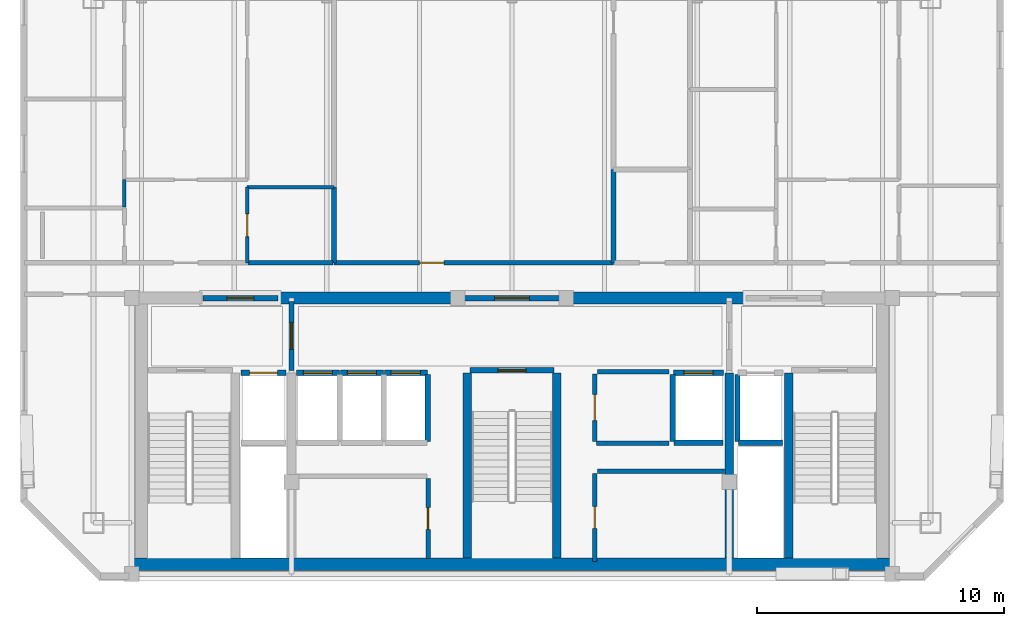
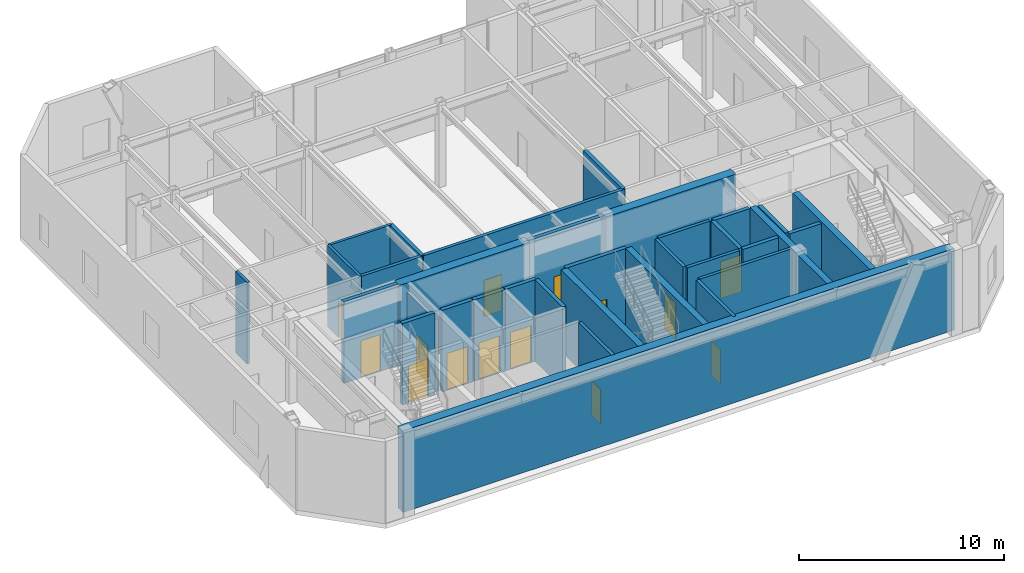
# One storey, part 7 of 11: 34 walls, 14 doors, 14 openings.
"""IFC4 building model written with IfcOpenShell, lengths in metres."""

from ifc_helpers import new_model, si_unit, direction, frame, frame_2d, origin, place, context, subcontext, project, spatial, rectangle, extrude, material, layer, layer_set, type_object, element, fill, save


model = new_model("IFC4")

# Units and contexts
model_context = context("Model", 3, precision=1e-05, world=origin(), true_north=direction((0.0, 1.0)))
body_context = subcontext(model_context, "Body", "Model", "MODEL_VIEW")
ifc_project = project(units=[si_unit("LENGTHUNIT", "METRE"), si_unit("AREAUNIT", "SQUARE_METRE"), si_unit("VOLUMEUNIT", "CUBIC_METRE"), si_unit("PLANEANGLEUNIT", "RADIAN"), si_unit("MASSUNIT", "GRAM", prefix="KILO")], contexts=[model_context])

# Site, building, storey
site_placement = place(None, origin())
site = spatial("IfcSite", under=ifc_project, at=site_placement, CompositionType="ELEMENT")
building_placement = place(site_placement, origin())
building = spatial("IfcBuilding", under=site, at=building_placement, Name="Ventersveld Concourse Tower", CompositionType="ELEMENT")
storey_placement = place(building_placement, frame((0.0, 0.0, 308.0)))
storey = spatial("IfcBuildingStorey", under=building, at=storey_placement, Name="L76", CompositionType="ELEMENT", Elevation=308.0)

# Walls
ifc_material_1 = material(Name="Concrete C50/60", Category="concrete")
ifc_layer_1 = layer(ifc_material_1, 0.35009765625)
ifc_layer_set_1 = layer_set([ifc_layer_1], Name="Concrete C50/60")
wall_type_1 = type_object("IfcWallType", Name="WL-CORE-350U", PredefinedType="SHEAR", material=ifc_layer_set_1)
for number, where, z_axis, x_axis, name in (
    (1, (26.93994140625, 0.919921875, 0.0), (0.0, 0.0, 1.0), (0.0, 1.0, 0.0), "L76 Core Internal Shear Web W-ST3-W"),
    (2, (30.56005859375, 0.919921875, 0.0), (0.0, 0.0, 1.0), (0.0, 1.0, 0.0), "L76 Core Internal Shear Web W-ST3-E"),
    (3, (37.550048828125, 0.919921875, 0.0), (0.0, 0.0, 1.0), (0.0, 1.0, 0.0), "L76 Core Internal Shear Web W-SVL-W"),
    (4, (39.9599609375, 0.919921875, 0.0), (0.0, 0.0, 1.0), (0.0, 1.0, 0.0), "L76 Core Internal Shear Web W-ST2-W"),
):
    element("IfcWall", number, at=place(storey_placement, frame(where, z_axis=z_axis, x_axis=x_axis)), inside=storey, type_object=wall_type_1, Name=name, PredefinedType="SHEAR", context=body_context, shape_type="SweptSolid", body=[
        extrude(rectangle(XDim=7.5, YDim=0.35009765625, at=frame_2d((3.75, 0.0))), origin(), (0.0, 0.0, 1.0), 4.85009765625),
    ])
ifc_layer_2 = layer(ifc_material_1, 0.5)
ifc_layer_set_2 = layer_set([ifc_layer_2], Name="Concrete C50/60")
wall_type_2 = type_object("IfcWallType", Name="WL-CORE-500", PredefinedType="SHEAR", material=ifc_layer_set_2)
wall_1_placement = place(storey_placement, frame((13.25, 0.669921875, 0.0), z_axis=(0.0, 0.0, 1.0), x_axis=(1.0, 0.0, 0.0)))
element("IfcWall", 5, at=wall_1_placement, inside=storey, type_object=wall_type_2, Name="L76 Rear Core South Shear Wall", PredefinedType="SHEAR", context=body_context, shape_type="SweptSolid", body=[
    extrude(rectangle(XDim=31.0, YDim=0.5, at=frame_2d((15.5, 0.0))), origin(), (0.0, 0.0, 1.0), 4.85009765625),
])
for number, where, z_axis, x_axis, name in (
    (6, (19.300048828125, 11.449951171875, 0.0), (0.0, 0.0, 1.0), (1.0, 0.0, 0.0), "L76 Rear Core North Shear Wall NML"),
    (7, (30.89990234375, 11.449951171875, 0.0), (0.0, 0.0, 1.0), (1.0, 0.0, 0.0), "L76 Rear Core North Shear Wall NMR"),
):
    element("IfcWall", number, at=place(storey_placement, frame(where, z_axis=z_axis, x_axis=x_axis)), inside=storey, type_object=wall_type_2, Name=name, PredefinedType="SHEAR", context=body_context, shape_type="SweptSolid", body=[
        extrude(rectangle(XDim=7.300048828125, YDim=0.5, at=frame_2d((3.64990234375, 0.0))), origin(), (0.0, 0.0, 1.0), 4.85009765625),
    ])

# Wall, opening, door
ifc_material_2 = material(Name="Fire-rated autoclaved aerated masonry blockwork", Category="masonry")
ifc_layer_3 = layer(ifc_material_2, 0.179931640625)
ifc_layer_set_3 = layer_set([ifc_layer_3], Name="Fire-rated autoclaved aerated masonry blockwork")
wall_type_3 = type_object("IfcWallType", Name="WL-CORR-180", PredefinedType="PARTITIONING", material=ifc_layer_set_3)
wall_2_placement = place(storey_placement, frame((25.35009765625, 0.89990234375, 0.0), z_axis=(0.0, 0.0, 1.0), x_axis=(0.0, 1.0, 0.0)))
wall_2 = element("IfcWall", 8, at=wall_2_placement, inside=storey, type_object=wall_type_3, Name="L76 Core Passage Wall SP-L76-RECB1A", PredefinedType="PARTITIONING", context=body_context, shape_type="SweptSolid", body=[
    extrude(rectangle(XDim=3.239990234375, YDim=0.179931640625, at=frame_2d((1.6201171875, 0.0))), origin(), (0.0, 0.0, 1.0), 4.85009765625),
])
opening_1_placement = place(wall_2_placement, frame((1.179931640625, 0.0, 0.0)))
opening_1 = element("IfcOpeningElement", 9, at=opening_1_placement, cuts=wall_2, Name="Opening FD5", PredefinedType="OPENING", context=body_context, shape_type="SweptSolid", body=[
    extrude(rectangle(XDim=0.8798828125, YDim=2.050048828125, at=frame_2d((0.43994140625, 1.02490234375))), frame((0.0, 0.10009765625, 0.0), z_axis=(0.0, -1.0, 0.0), x_axis=(1.0, 0.0, 0.0)), (0.0, 0.0, 1.0), 0.199951171875),
])
ifc_material_3 = material(Name="Galvanised painted steel", Category="steel")
door_type_1 = type_object("IfcDoorType", Name="DR-RISER-088", OperationType="NOTDEFINED", PredefinedType="DOOR", material=ifc_material_3)
door_1_placement = place(opening_1_placement, origin())
door_1 = element("IfcDoor", 10, at=door_1_placement, inside=storey, type_object=door_type_1, Name="L76 Core Room Door L76 Reclaimed Core Quiet Study Pod (CD-L76-3487)", OperationType="SINGLE_SWING_RIGHT", OverallHeight=2.050048828125, OverallWidth=0.8798828125, PredefinedType="DOOR", context=body_context, shape_type="SweptSolid", body=[
    extrude(rectangle(XDim=0.8798828125, YDim=2.050048828125, at=frame_2d((0.43994140625, 1.02490234375))), frame((0.0, 0.02490234375, 0.0), z_axis=(0.0, -1.0, 0.0), x_axis=(1.0, 0.0, 0.0)), (0.0, 0.0, 1.0), 0.050048828125),
])
fill(opening_1, door_1)

wall_3_placement = place(storey_placement, frame((32.10009765625, 0.780029296875, 0.0), z_axis=(0.0, 0.0, 1.0), x_axis=(0.0, 1.0, 0.0)))
wall_3 = element("IfcWall", 11, at=wall_3_placement, inside=storey, type_object=wall_type_3, Name="L76 Core Passage Wall SP-L76-RECB2A", PredefinedType="PARTITIONING", context=body_context, shape_type="SweptSolid", body=[
    extrude(rectangle(XDim=3.570068359375, YDim=0.179931640625, at=frame_2d((1.78515625, 0.0))), origin(), (0.0, 0.0, 1.0), 4.85009765625),
])
opening_2_placement = place(wall_3_placement, frame((1.344970703125, 0.0, 0.0)))
opening_2 = element("IfcOpeningElement", 12, at=opening_2_placement, cuts=wall_3, Name="Opening FD5", PredefinedType="OPENING", context=body_context, shape_type="SweptSolid", body=[
    extrude(rectangle(XDim=0.8798828125, YDim=2.050048828125, at=frame_2d((0.43994140625, 1.02490234375))), frame((0.0, 0.10009765625, 0.0), z_axis=(0.0, -1.0, 0.0), x_axis=(1.0, 0.0, 0.0)), (0.0, 0.0, 1.0), 0.199951171875),
])
door_2_placement = place(opening_2_placement, origin())
door_2 = element("IfcDoor", 13, at=door_2_placement, inside=storey, type_object=door_type_1, Name="L76 Core Room Door L76 Reclaimed Core Co-Working Study (CD-L76-3488)", OperationType="SINGLE_SWING_LEFT", OverallHeight=2.050048828125, OverallWidth=0.8798828125, PredefinedType="DOOR", context=body_context, shape_type="SweptSolid", body=[
    extrude(rectangle(XDim=0.8798828125, YDim=2.050048828125, at=frame_2d((0.43994140625, 1.02490234375))), frame((0.0, 0.02490234375, 0.0), z_axis=(0.0, -1.0, 0.0), x_axis=(1.0, 0.0, 0.0)), (0.0, 0.0, 1.0), 0.050048828125),
])
fill(opening_2, door_2)

# Wall
wall_4_placement = place(storey_placement, frame((32.219970703125, 4.429931640625, 0.0), z_axis=(0.0, 0.0, 1.0), x_axis=(1.0, 0.0, 0.0)))
element("IfcWall", 14, at=wall_4_placement, inside=storey, type_object=wall_type_3, Name="L76 Core Top Wall SP-L76-RECB2A", PredefinedType="PARTITIONING", context=body_context, shape_type="SweptSolid", body=[
    extrude(rectangle(XDim=5.179931640625, YDim=0.179931640625, at=frame_2d((2.58984375, 0.0))), origin(), (0.0, 0.0, 1.0), 4.85009765625),
])

# Wall, opening, door
wall_5_placement = place(storey_placement, frame((32.10009765625, 5.64990234375, 0.0), z_axis=(0.0, 0.0, 1.0), x_axis=(0.0, 1.0, 0.0)))
wall_5 = element("IfcWall", 15, at=wall_5_placement, inside=storey, type_object=wall_type_3, Name="L76 Core Passage Wall SP-L76-CBAY1", PredefinedType="PARTITIONING", context=body_context, shape_type="SweptSolid", body=[
    extrude(rectangle(XDim=2.72998046875, YDim=0.179931640625, at=frame_2d((1.364990234375, 0.0))), origin(), (0.0, 0.0, 1.0), 4.85009765625),
])
opening_3_placement = place(wall_5_placement, frame((0.840087890625, 0.0, 0.0)))
opening_3 = element("IfcOpeningElement", 16, at=opening_3_placement, cuts=wall_5, Name="Opening ID3", PredefinedType="OPENING", context=body_context, shape_type="SweptSolid", body=[
    extrude(rectangle(XDim=1.050048828125, YDim=2.14990234375, at=frame_2d((0.52490234375, 1.074951171875))), frame((0.0, 0.10009765625, 0.0), z_axis=(0.0, -1.0, 0.0), x_axis=(1.0, 0.0, 0.0)), (0.0, 0.0, 1.0), 0.199951171875),
])
ifc_material_4 = material(Name="Solid-core hardwood veneer timber", Category="wood")
door_type_2 = type_object("IfcDoorType", Name="DR-AWC-105", OperationType="NOTDEFINED", PredefinedType="DOOR", material=ifc_material_4)
door_3_placement = place(opening_3_placement, origin())
door_3 = element("IfcDoor", 17, at=door_3_placement, inside=storey, type_object=door_type_2, Name="L76 Core Room Door L76 Core Unisex Accessible WC (CD-L76-3489)", OperationType="SINGLE_SWING_RIGHT", OverallHeight=2.14990234375, OverallWidth=1.050048828125, PredefinedType="DOOR", context=body_context, shape_type="SweptSolid", body=[
    extrude(rectangle(XDim=1.050048828125, YDim=2.14990234375, at=frame_2d((0.52490234375, 1.074951171875))), frame((0.0, 0.02490234375, 0.0), z_axis=(0.0, -1.0, 0.0), x_axis=(1.0, 0.0, 0.0)), (0.0, 0.0, 1.0), 0.050048828125),
])
fill(opening_3, door_3)

# Walls
wall_6_placement = place(storey_placement, frame((32.219970703125, 8.4599609375, 0.0), z_axis=(0.0, 0.0, 1.0), x_axis=(1.0, 0.0, 0.0)))
element("IfcWall", 18, at=wall_6_placement, inside=storey, type_object=wall_type_3, Name="L76 Core Top Wall SP-L76-CBAY1", PredefinedType="PARTITIONING", context=body_context, shape_type="SweptSolid", body=[
    extrude(rectangle(XDim=2.880126953125, YDim=0.179931640625, at=frame_2d((1.43994140625, 0.0))), origin(), (0.0, 0.0, 1.0), 4.85009765625),
])
wall_7_placement = place(storey_placement, frame((32.179931640625, 5.570068359375, 0.0), z_axis=(0.0, 0.0, 1.0), x_axis=(1.0, 0.0, 0.0)))
element("IfcWall", 19, at=wall_7_placement, inside=storey, type_object=wall_type_3, Name="L76 Core Bot Wall SP-L76-CBAY1", PredefinedType="PARTITIONING", context=body_context, shape_type="SweptSolid", body=[
    extrude(rectangle(XDim=2.920166015625, YDim=0.179931640625, at=frame_2d((1.4599609375, 0.0))), origin(), (0.0, 0.0, 1.0), 4.85009765625),
])

# Wall, opening, door
wall_8_placement = place(storey_placement, frame((21.534912109375, 12.8798828125, 0.0), z_axis=(0.0, 0.0, 1.0), x_axis=(1.0, 0.0, 0.0)))
wall_8 = element("IfcWall", 20, at=wall_8_placement, inside=storey, type_object=wall_type_3, Name="L76 Interior Partition SP-L76-COR-SP-L76-SGLNG", PredefinedType="PARTITIONING", context=body_context, shape_type="SweptSolid", body=[
    extrude(rectangle(XDim=11.330078125, YDim=0.179931640625, at=frame_2d((5.6650390625, 0.0))), origin(), (0.0, 0.0, 1.0), 4.85009765625),
])
opening_4_placement = place(wall_8_placement, frame((3.465576171875, 0.0, 0.0)))
opening_4 = element("IfcOpeningElement", 21, at=opening_4_placement, cuts=wall_8, Name="Opening FD3", PredefinedType="OPENING", context=body_context, shape_type="SweptSolid", body=[
    extrude(rectangle(XDim=1.0, YDim=2.14990234375, at=frame_2d((0.5, 1.074951171875))), frame((0.0, 0.10009765625, 0.0), z_axis=(0.0, -1.0, 0.0), x_axis=(1.0, 0.0, 0.0)), (0.0, 0.0, 1.0), 0.199951171875),
])
door_type_3 = type_object("IfcDoorType", Name="DR-FLAT-100", OperationType="NOTDEFINED", PredefinedType="DOOR", material=ifc_material_4)
door_4_placement = place(opening_4_placement, origin())
door_4 = element("IfcDoor", 22, at=door_4_placement, inside=storey, type_object=door_type_3, Name="L76 Interior Door SP-L76-COR to SP-L76-SGLNG (D-L76-3492)", OperationType="SINGLE_SWING_RIGHT", OverallHeight=2.14990234375, OverallWidth=1.0, PredefinedType="DOOR", context=body_context, shape_type="SweptSolid", body=[
    extrude(rectangle(XDim=1.0, YDim=2.14990234375, at=frame_2d((0.5, 1.074951171875))), frame((0.0, 0.02490234375, 0.0), z_axis=(0.0, -1.0, 0.0), x_axis=(1.0, 0.0, 0.0)), (0.0, 0.0, 1.0), 0.050048828125),
])
fill(opening_4, door_4)

# Walls
wall_9_placement = place(storey_placement, frame((18.066650390625, 12.8798828125, 0.0), z_axis=(0.0, 0.0, 1.0), x_axis=(1.0, 0.0, 0.0)))
element("IfcWall", 23, at=wall_9_placement, inside=storey, type_object=wall_type_3, Name="L76 Interior Partition SP-L76-COR-SP-L76-76CW-KIT", PredefinedType="PARTITIONING", context=body_context, shape_type="SweptSolid", body=[
    extrude(rectangle(XDim=3.438232421875, YDim=0.179931640625, at=frame_2d((1.71923828125, 0.0))), origin(), (0.0, 0.0, 1.0), 4.85009765625),
])
ifc_layer_4 = layer(ifc_material_2, 0.199951171875)
ifc_layer_set_4 = layer_set([ifc_layer_4], Name="Fire-rated autoclaved aerated masonry blockwork")
wall_type_4 = type_object("IfcWallType", Name="WL-DEMISE-200", PredefinedType="PARTITIONING", material=ifc_layer_set_4)
wall_10_placement = place(storey_placement, frame((32.860107421875, 12.864990234375, 0.0), z_axis=(0.0, 0.0, 1.0), x_axis=(0.0, 1.0, 0.0)))
element("IfcWall", 24, at=wall_10_placement, inside=storey, type_object=wall_type_4, Name="L76 Interior Partition SP-L76-SGLNG-SP-L76-SGAWC", PredefinedType="PARTITIONING", context=body_context, shape_type="SweptSolid", body=[
    extrude(rectangle(XDim=3.7900390625, YDim=0.199951171875, at=frame_2d((1.89501953125, 0.0))), origin(), (0.0, 0.0, 1.0), 4.85009765625),
])
wall_11_placement = place(storey_placement, frame((21.5400390625, 12.864990234375, 0.0), z_axis=(0.0, 0.0, 1.0), x_axis=(0.0, 1.0, 0.0)))
element("IfcWall", 25, at=wall_11_placement, inside=storey, type_object=wall_type_4, Name="L76 Interior Partition SP-L76-SGLNG-SP-L76-76CW-KIT", PredefinedType="PARTITIONING", context=body_context, shape_type="SweptSolid", body=[
    extrude(rectangle(XDim=3.07421875, YDim=0.199951171875, at=frame_2d((1.537109375, 0.0))), origin(), (0.0, 0.0, 1.0), 4.85009765625),
])

# Wall, opening, door
ifc_layer_5 = layer(ifc_material_2, 0.219970703125)
ifc_layer_set_5 = layer_set([ifc_layer_5], Name="Fire-rated autoclaved aerated masonry blockwork")
wall_type_5 = type_object("IfcWallType", Name="WL-HOIST-220", PredefinedType="SOLIDWALL", material=ifc_layer_set_5)
wall_12_placement = place(storey_placement, frame((17.780029296875, 8.429931640625, 0.0), z_axis=(0.0, 0.0, 1.0), x_axis=(1.0, 0.0, 0.0)))
wall_12 = element("IfcWall", 26, at=wall_12_placement, inside=storey, type_object=wall_type_5, Name="L76 Lift Hoistway Front Wall FFL-01", PredefinedType="SOLIDWALL", context=body_context, shape_type="SweptSolid", body=[
    extrude(rectangle(XDim=1.820068359375, YDim=0.219970703125, at=frame_2d((0.91015625, 0.0))), origin(), (0.0, 0.0, 1.0), 4.85009765625),
])
opening_5_placement = place(wall_12_placement, frame((0.35009765625, 0.0, 0.0)))
opening_5 = element("IfcOpeningElement", 27, at=opening_5_placement, cuts=wall_12, Name="Opening LD1", PredefinedType="OPENING", context=body_context, shape_type="SweptSolid", body=[
    extrude(rectangle(XDim=1.1201171875, YDim=2.25, at=frame_2d((0.56005859375, 1.125))), frame((0.0, 0.1201171875, 0.0), z_axis=(0.0, -1.0, 0.0), x_axis=(1.0, 0.0, 0.0)), (0.0, 0.0, 1.0), 0.239990234375),
])
ifc_material_5 = material(Name="Brushed stainless steel 316", Category="steel")
door_type_4 = type_object("IfcDoorType", Name="LD-FF-112", OperationType="SLIDING_TO_LEFT", PredefinedType="DOOR", material=ifc_material_5)
door_5_placement = place(opening_5_placement, origin())
door_5 = element("IfcDoor", 28, at=door_5_placement, inside=storey, type_object=door_type_4, Name="L76 Lift landing door FFL-01 (LD-L76-FFL-01)", OperationType="SLIDING_TO_RIGHT", OverallHeight=2.25, OverallWidth=1.1201171875, PredefinedType="DOOR", context=body_context, shape_type="SweptSolid", body=[
    extrude(rectangle(XDim=1.1201171875, YDim=2.25, at=frame_2d((0.56005859375, 1.125))), frame((0.0, 0.02490234375, 0.0), z_axis=(0.0, -1.0, 0.0), x_axis=(1.0, 0.0, 0.0)), (0.0, 0.0, 1.0), 0.050048828125),
])
fill(opening_5, door_5)

# Walls
wall_13_placement = place(storey_placement, frame((37.919921875, 5.590087890625, 0.0), z_axis=(0.0, 0.0, 1.0), x_axis=(1.0, 0.0, 0.0)))
element("IfcWall", 29, at=wall_13_placement, inside=storey, type_object=wall_type_5, Name="L76 Lift Hoistway Back Wall FFL-02", PredefinedType="SOLIDWALL", context=body_context, shape_type="SweptSolid", body=[
    extrude(rectangle(XDim=1.780029296875, YDim=0.219970703125, at=frame_2d((0.89013671875, 0.0))), origin(), (0.0, 0.0, 1.0), 4.85009765625),
])
wall_14_placement = place(storey_placement, frame((37.8798828125, 5.64990234375, 0.0), z_axis=(0.0, 0.0, 1.0), x_axis=(0.0, 1.0, 0.0)))
element("IfcWall", 30, at=wall_14_placement, inside=storey, type_object=wall_type_5, Name="L76 Lift Hoistway Side Wall FFL-02W", PredefinedType="SOLIDWALL", context=body_context, shape_type="SweptSolid", body=[
    extrude(rectangle(XDim=2.7001953125, YDim=0.219970703125, at=frame_2d((1.35009765625, 0.0))), origin(), (0.0, 0.0, 1.0), 4.85009765625),
])
wall_15_placement = place(storey_placement, frame((35.300048828125, 5.590087890625, 0.0), z_axis=(0.0, 0.0, 1.0), x_axis=(1.0, 0.0, 0.0)))
element("IfcWall", 31, at=wall_15_placement, inside=storey, type_object=wall_type_5, Name="L76 Lift Hoistway Back Wall SVL-01", PredefinedType="SOLIDWALL", context=body_context, shape_type="SweptSolid", body=[
    extrude(rectangle(XDim=2.0, YDim=0.219970703125, at=frame_2d((1.0, 0.0))), origin(), (0.0, 0.0, 1.0), 4.85009765625),
])
wall_16_placement = place(storey_placement, frame((35.260009765625, 5.64990234375, 0.0), z_axis=(0.0, 0.0, 1.0), x_axis=(0.0, 1.0, 0.0)))
element("IfcWall", 32, at=wall_16_placement, inside=storey, type_object=wall_type_5, Name="L76 Lift Hoistway Side Wall SVL-01W", PredefinedType="SOLIDWALL", context=body_context, shape_type="SweptSolid", body=[
    extrude(rectangle(XDim=2.7001953125, YDim=0.219970703125, at=frame_2d((1.35009765625, 0.0))), origin(), (0.0, 0.0, 1.0), 4.85009765625),
])

# Wall, opening, door
wall_17_placement = place(storey_placement, frame((35.280029296875, 8.429931640625, 0.0), z_axis=(0.0, 0.0, 1.0), x_axis=(1.0, 0.0, 0.0)))
wall_17 = element("IfcWall", 33, at=wall_17_placement, inside=storey, type_object=wall_type_5, Name="L76 Lift Hoistway Front Wall SVL-01", PredefinedType="SOLIDWALL", context=body_context, shape_type="SweptSolid", body=[
    extrude(rectangle(XDim=2.0400390625, YDim=0.219970703125, at=frame_2d((1.02001953125, 0.0))), origin(), (0.0, 0.0, 1.0), 4.85009765625),
])
opening_6_placement = place(wall_17_placement, frame((0.429931640625, 0.0, 0.0)))
opening_6 = element("IfcOpeningElement", 34, at=opening_6_placement, cuts=wall_17, Name="Opening LD2", PredefinedType="OPENING", context=body_context, shape_type="SweptSolid", body=[
    extrude(rectangle(XDim=1.179931640625, YDim=2.199951171875, at=frame_2d((0.58984375, 1.10009765625))), frame((0.0, 0.1201171875, 0.0), z_axis=(0.0, -1.0, 0.0), x_axis=(1.0, 0.0, 0.0)), (0.0, 0.0, 1.0), 0.239990234375),
])
door_type_5 = type_object("IfcDoorType", Name="LD-PAX-118", OperationType="SLIDING_TO_LEFT", PredefinedType="DOOR", material=ifc_material_5)
door_6_placement = place(opening_6_placement, origin())
door_6 = element("IfcDoor", 35, at=door_6_placement, inside=storey, type_object=door_type_5, Name="L76 Lift landing door SVL-01 (LD-L76-SVL-01)", OperationType="SLIDING_TO_RIGHT", OverallHeight=2.199951171875, OverallWidth=1.179931640625, PredefinedType="DOOR", context=body_context, shape_type="SweptSolid", body=[
    extrude(rectangle(XDim=1.179931640625, YDim=2.199951171875, at=frame_2d((0.58984375, 1.10009765625))), frame((0.0, 0.02490234375, 0.0), z_axis=(0.0, -1.0, 0.0), x_axis=(1.0, 0.0, 0.0)), (0.0, 0.0, 1.0), 0.050048828125),
])
fill(opening_6, door_6)

wall_18_placement = place(storey_placement, frame((20.02001953125, 8.429931640625, 0.0), z_axis=(0.0, 0.0, 1.0), x_axis=(1.0, 0.0, 0.0)))
wall_18 = element("IfcWall", 36, at=wall_18_placement, inside=storey, type_object=wall_type_5, Name="L76 Lift Hoistway Front Wall PH-01", PredefinedType="SOLIDWALL", context=body_context, shape_type="SweptSolid", body=[
    extrude(rectangle(XDim=1.739990234375, YDim=0.219970703125, at=frame_2d((0.8701171875, 0.0))), origin(), (0.0, 0.0, 1.0), 4.85009765625),
])
opening_7_placement = place(wall_18_placement, frame((0.280029296875, 0.0, 0.0)))
opening_7 = element("IfcOpeningElement", 37, at=opening_7_placement, cuts=wall_18, Name="Opening LD2", PredefinedType="OPENING", context=body_context, shape_type="SweptSolid", body=[
    extrude(rectangle(XDim=1.179931640625, YDim=2.199951171875, at=frame_2d((0.58984375, 1.10009765625))), frame((0.0, 0.1201171875, 0.0), z_axis=(0.0, -1.0, 0.0), x_axis=(1.0, 0.0, 0.0)), (0.0, 0.0, 1.0), 0.239990234375),
])
door_7_placement = place(opening_7_placement, origin())
door_7 = element("IfcDoor", 38, at=door_7_placement, inside=storey, type_object=door_type_5, Name="L76 Lift landing door PH-01 (LD-L76-PH-01)", OperationType="SLIDING_TO_LEFT", OverallHeight=2.199951171875, OverallWidth=1.179931640625, PredefinedType="DOOR", context=body_context, shape_type="SweptSolid", body=[
    extrude(rectangle(XDim=1.179931640625, YDim=2.199951171875, at=frame_2d((0.58984375, 1.10009765625))), frame((0.0, 0.02490234375, 0.0), z_axis=(0.0, -1.0, 0.0), x_axis=(1.0, 0.0, 0.0)), (0.0, 0.0, 1.0), 0.050048828125),
])
fill(opening_7, door_7)

wall_19_placement = place(storey_placement, frame((21.800048828125, 8.429931640625, 0.0), z_axis=(0.0, 0.0, 1.0), x_axis=(1.0, 0.0, 0.0)))
wall_19 = element("IfcWall", 39, at=wall_19_placement, inside=storey, type_object=wall_type_5, Name="L76 Lift Hoistway Front Wall PH-02", PredefinedType="SOLIDWALL", context=body_context, shape_type="SweptSolid", body=[
    extrude(rectangle(XDim=1.739990234375, YDim=0.219970703125, at=frame_2d((0.8701171875, 0.0))), origin(), (0.0, 0.0, 1.0), 4.85009765625),
])
opening_8_placement = place(wall_19_placement, frame((0.280029296875, 0.0, 0.0)))
opening_8 = element("IfcOpeningElement", 40, at=opening_8_placement, cuts=wall_19, Name="Opening LD2", PredefinedType="OPENING", context=body_context, shape_type="SweptSolid", body=[
    extrude(rectangle(XDim=1.179931640625, YDim=2.199951171875, at=frame_2d((0.58984375, 1.10009765625))), frame((0.0, 0.1201171875, 0.0), z_axis=(0.0, -1.0, 0.0), x_axis=(1.0, 0.0, 0.0)), (0.0, 0.0, 1.0), 0.239990234375),
])
door_8_placement = place(opening_8_placement, origin())
door_8 = element("IfcDoor", 41, at=door_8_placement, inside=storey, type_object=door_type_5, Name="L76 Lift landing door PH-02 (LD-L76-PH-02)", OperationType="SLIDING_TO_RIGHT", OverallHeight=2.199951171875, OverallWidth=1.179931640625, PredefinedType="DOOR", context=body_context, shape_type="SweptSolid", body=[
    extrude(rectangle(XDim=1.179931640625, YDim=2.199951171875, at=frame_2d((0.58984375, 1.10009765625))), frame((0.0, 0.02490234375, 0.0), z_axis=(0.0, -1.0, 0.0), x_axis=(1.0, 0.0, 0.0)), (0.0, 0.0, 1.0), 0.050048828125),
])
fill(opening_8, door_8)

# Wall
wall_20_placement = place(storey_placement, frame((25.340087890625, 5.64990234375, 0.0), z_axis=(0.0, 0.0, 1.0), x_axis=(0.0, 1.0, 0.0)))
element("IfcWall", 42, at=wall_20_placement, inside=storey, type_object=wall_type_5, Name="L76 Lift Hoistway Side Wall PH-03E", PredefinedType="SOLIDWALL", context=body_context, shape_type="SweptSolid", body=[
    extrude(rectangle(XDim=2.7001953125, YDim=0.219970703125, at=frame_2d((1.35009765625, 0.0))), origin(), (0.0, 0.0, 1.0), 4.85009765625),
])

# Wall, opening, door
wall_21_placement = place(storey_placement, frame((23.580078125, 8.429931640625, 0.0), z_axis=(0.0, 0.0, 1.0), x_axis=(1.0, 0.0, 0.0)))
wall_21 = element("IfcWall", 43, at=wall_21_placement, inside=storey, type_object=wall_type_5, Name="L76 Lift Hoistway Front Wall PH-03", PredefinedType="SOLIDWALL", context=body_context, shape_type="SweptSolid", body=[
    extrude(rectangle(XDim=1.739990234375, YDim=0.219970703125, at=frame_2d((0.8701171875, 0.0))), origin(), (0.0, 0.0, 1.0), 4.85009765625),
])
opening_9_placement = place(wall_21_placement, frame((0.280029296875, 0.0, 0.0)))
opening_9 = element("IfcOpeningElement", 44, at=opening_9_placement, cuts=wall_21, Name="Opening LD2", PredefinedType="OPENING", context=body_context, shape_type="SweptSolid", body=[
    extrude(rectangle(XDim=1.179931640625, YDim=2.199951171875, at=frame_2d((0.58984375, 1.10009765625))), frame((0.0, 0.1201171875, 0.0), z_axis=(0.0, -1.0, 0.0), x_axis=(1.0, 0.0, 0.0)), (0.0, 0.0, 1.0), 0.239990234375),
])
door_9_placement = place(opening_9_placement, origin())
door_9 = element("IfcDoor", 45, at=door_9_placement, inside=storey, type_object=door_type_5, Name="L76 Lift landing door PH-03 (LD-L76-PH-03)", OperationType="SLIDING_TO_LEFT", OverallHeight=2.199951171875, OverallWidth=1.179931640625, PredefinedType="DOOR", context=body_context, shape_type="SweptSolid", body=[
    extrude(rectangle(XDim=1.179931640625, YDim=2.199951171875, at=frame_2d((0.58984375, 1.10009765625))), frame((0.0, 0.02490234375, 0.0), z_axis=(0.0, -1.0, 0.0), x_axis=(1.0, 0.0, 0.0)), (0.0, 0.0, 1.0), 0.050048828125),
])
fill(opening_9, door_9)

wall_22_placement = place(storey_placement, frame((27.0400390625, 8.52001953125, 0.0), z_axis=(0.0, 0.0, 1.0), x_axis=(1.0, 0.0, 0.0)))
wall_22 = element("IfcWall", 46, at=wall_22_placement, inside=storey, type_object=wall_type_5, Name="L76 Escape Stair ST03 Fire Wall", PredefinedType="SOLIDWALL", context=body_context, shape_type="SweptSolid", body=[
    extrude(rectangle(XDim=3.419921875, YDim=0.219970703125, at=frame_2d((1.7099609375, 0.0))), origin(), (0.0, 0.0, 1.0), 4.85009765625),
])
opening_10_placement = place(wall_22_placement, frame((1.135009765625, 0.0, 0.0)))
opening_10 = element("IfcOpeningElement", 47, at=opening_10_placement, cuts=wall_22, Name="Opening FD1", PredefinedType="OPENING", context=body_context, shape_type="SweptSolid", body=[
    extrude(rectangle(XDim=1.14990234375, YDim=2.199951171875, at=frame_2d((0.574951171875, 1.10009765625))), frame((0.0, 0.1201171875, 0.0), z_axis=(0.0, -1.0, 0.0), x_axis=(1.0, 0.0, 0.0)), (0.0, 0.0, 1.0), 0.239990234375),
])
door_type_6 = type_object("IfcDoorType", Name="DR-STAIR-115", OperationType="NOTDEFINED", PredefinedType="DOOR", material=ifc_material_3)
door_10_placement = place(opening_10_placement, origin())
door_10 = element("IfcDoor", 48, at=door_10_placement, inside=storey, type_object=door_type_6, Name="L76 Escape Stair Door ST03 (SD-L76-3481)", OperationType="SINGLE_SWING_LEFT", OverallHeight=2.199951171875, OverallWidth=1.14990234375, PredefinedType="DOOR", context=body_context, shape_type="SweptSolid", body=[
    extrude(rectangle(XDim=1.14990234375, YDim=2.199951171875, at=frame_2d((0.574951171875, 1.10009765625))), frame((0.0, 0.02490234375, 0.0), z_axis=(0.0, -1.0, 0.0), x_axis=(1.0, 0.0, 0.0)), (0.0, 0.0, 1.0), 0.050048828125),
])
fill(opening_10, door_10)

wall_23_placement = place(storey_placement, frame((19.820068359375, 8.52001953125, 0.0), z_axis=(0.0, 0.0, 1.0), x_axis=(0.0, 1.0, 0.0)))
wall_23 = element("IfcWall", 49, at=wall_23_placement, inside=storey, type_object=wall_type_5, Name="L76 Firefighting Lobby Smoke-Stop Wall FFLW-SEP", PredefinedType="SOLIDWALL", context=body_context, shape_type="SweptSolid", body=[
    extrude(rectangle(XDim=2.800048828125, YDim=0.219970703125, at=frame_2d((1.39990234375, 0.0))), origin(), (0.0, 0.0, 1.0), 4.305419921875),
])
opening_11_placement = place(wall_23_placement, frame((0.85009765625, 0.0, 0.0)))
opening_11 = element("IfcOpeningElement", 50, at=opening_11_placement, cuts=wall_23, Name="Opening FD2", PredefinedType="OPENING", context=body_context, shape_type="SweptSolid", body=[
    extrude(rectangle(XDim=1.10009765625, YDim=2.199951171875, at=frame_2d((0.550048828125, 1.10009765625))), frame((0.0, 0.1201171875, 0.0), z_axis=(0.0, -1.0, 0.0), x_axis=(1.0, 0.0, 0.0)), (0.0, 0.0, 1.0), 0.239990234375),
])
door_type_7 = type_object("IfcDoorType", Name="DR-FFL-110", OperationType="NOTDEFINED", PredefinedType="DOOR", material=ifc_material_3)
door_11_placement = place(opening_11_placement, origin())
door_11 = element("IfcDoor", 51, at=door_11_placement, inside=storey, type_object=door_type_7, Name="L76 Firefighting Lobby Door FFLW-SEP (FD-L76-3482)", OperationType="SINGLE_SWING_LEFT", OverallHeight=2.199951171875, OverallWidth=1.10009765625, PredefinedType="DOOR", context=body_context, shape_type="SweptSolid", body=[
    extrude(rectangle(XDim=1.10009765625, YDim=2.199951171875, at=frame_2d((0.550048828125, 1.10009765625))), frame((0.0, 0.02490234375, 0.0), z_axis=(0.0, -1.0, 0.0), x_axis=(1.0, 0.0, 0.0)), (0.0, 0.0, 1.0), 0.050048828125),
])
fill(opening_11, door_11)

wall_24_placement = place(storey_placement, frame((16.22998046875, 11.449951171875, 0.0), z_axis=(0.0, 0.0, 1.0), x_axis=(1.0, 0.0, 0.0)))
wall_24 = element("IfcWall", 52, at=wall_24_placement, inside=storey, type_object=wall_type_5, Name="L76 Core North Fire Portal FFLW-OUT", PredefinedType="SOLIDWALL", context=body_context, shape_type="SweptSolid", body=[
    extrude(rectangle(XDim=3.0400390625, YDim=0.219970703125, at=frame_2d((1.52001953125, 0.0))), origin(), (0.0, 0.0, 1.0), 4.85009765625),
])
opening_12_placement = place(wall_24_placement, frame((0.969970703125, 0.0, 0.0)))
opening_12 = element("IfcOpeningElement", 53, at=opening_12_placement, cuts=wall_24, Name="Opening FD2", PredefinedType="OPENING", context=body_context, shape_type="SweptSolid", body=[
    extrude(rectangle(XDim=1.10009765625, YDim=2.199951171875, at=frame_2d((0.550048828125, 1.10009765625))), frame((0.0, 0.1201171875, 0.0), z_axis=(0.0, -1.0, 0.0), x_axis=(1.0, 0.0, 0.0)), (0.0, 0.0, 1.0), 0.239990234375),
])
door_12_placement = place(opening_12_placement, origin())
door_12 = element("IfcDoor", 54, at=door_12_placement, inside=storey, type_object=door_type_7, Name="L76 Core Lobby Fire Door FFLW-OUT (FD-L76-3484)", OperationType="SINGLE_SWING_RIGHT", OverallHeight=2.199951171875, OverallWidth=1.10009765625, PredefinedType="DOOR", context=body_context, shape_type="SweptSolid", body=[
    extrude(rectangle(XDim=1.10009765625, YDim=2.199951171875, at=frame_2d((0.550048828125, 1.10009765625))), frame((0.0, 0.02490234375, 0.0), z_axis=(0.0, -1.0, 0.0), x_axis=(1.0, 0.0, 0.0)), (0.0, 0.0, 1.0), 0.050048828125),
])
fill(opening_12, door_12)

wall_25_placement = place(storey_placement, frame((26.6298828125, 11.449951171875, 0.0), z_axis=(0.0, 0.0, 1.0), x_axis=(1.0, 0.0, 0.0)))
wall_25 = element("IfcWall", 55, at=wall_25_placement, inside=storey, type_object=wall_type_5, Name="L76 Core North Fire Portal PLOB-OUT", PredefinedType="SOLIDWALL", context=body_context, shape_type="SweptSolid", body=[
    extrude(rectangle(XDim=4.240234375, YDim=0.219970703125, at=frame_2d((2.1201171875, 0.0))), origin(), (0.0, 0.0, 1.0), 4.85009765625),
])
opening_13_placement = place(wall_25_placement, frame((1.419921875, 0.0, 0.0)))
opening_13 = element("IfcOpeningElement", 56, at=opening_13_placement, cuts=wall_25, Name="Opening FD4", PredefinedType="OPENING", context=body_context, shape_type="SweptSolid", body=[
    extrude(rectangle(XDim=1.39990234375, YDim=2.199951171875, at=frame_2d((0.699951171875, 1.10009765625))), frame((0.0, 0.1201171875, 0.0), z_axis=(0.0, -1.0, 0.0), x_axis=(1.0, 0.0, 0.0)), (0.0, 0.0, 1.0), 0.239990234375),
])
door_type_8 = type_object("IfcDoorType", Name="DR-PLANT-140", OperationType="DOUBLE_DOOR_SINGLE_SWING", PredefinedType="DOOR", material=ifc_material_3)
door_13_placement = place(opening_13_placement, origin())
door_13 = element("IfcDoor", 57, at=door_13_placement, inside=storey, type_object=door_type_8, Name="L76 Core Lobby Fire Door PLOB-OUT (FD-L76-3485)", OperationType="DOUBLE_DOOR_SINGLE_SWING", OverallHeight=2.199951171875, OverallWidth=1.39990234375, PredefinedType="DOOR", context=body_context, shape_type="SweptSolid", body=[
    extrude(rectangle(XDim=1.39990234375, YDim=2.199951171875, at=frame_2d((0.699951171875, 1.10009765625))), frame((0.0, 0.02490234375, 0.0), z_axis=(0.0, -1.0, 0.0), x_axis=(1.0, 0.0, 0.0)), (0.0, 0.0, 1.0), 0.050048828125),
])
fill(opening_13, door_13)

# Wall
ifc_material_6 = material(Name="Autoclaved aerated masonry blockwork", Category="masonry")
ifc_layer_6 = layer(ifc_material_6, 0.14990234375)
ifc_layer_set_6 = layer_set([ifc_layer_6], Name="Autoclaved aerated masonry blockwork")
wall_type_6 = type_object("IfcWallType", Name="WL-INT-150", PredefinedType="PARTITIONING", material=ifc_layer_set_6)
wall_26_placement = place(storey_placement, frame((13.051513671875, 15.127685546875, 0.0), z_axis=(0.0, 0.0, 1.0), x_axis=(0.0, 1.0, 0.0)))
element("IfcWall", 58, at=wall_26_placement, inside=storey, type_object=wall_type_6, Name="L76 Interior Partition SP-L76-76CW-FOY-SP-L76-76CW-MEDL0", PredefinedType="PARTITIONING", context=body_context, shape_type="SweptSolid", body=[
    extrude(rectangle(XDim=1.113525390625, YDim=0.14990234375, at=frame_2d((0.556640625, 0.0))), origin(), (0.0, 0.0, 1.0), 4.85009765625),
])

# Wall, opening, door
wall_27_placement = place(storey_placement, frame((18.031494140625, 12.864990234375, 0.0), z_axis=(0.0, 0.0, 1.0), x_axis=(0.0, 1.0, 0.0)))
wall_27 = element("IfcWall", 59, at=wall_27_placement, inside=storey, type_object=wall_type_6, Name="L76 Interior Partition SP-L76-76CW-FOY-SP-L76-76CW-KIT", PredefinedType="PARTITIONING", context=body_context, shape_type="SweptSolid", body=[
    extrude(rectangle(XDim=3.07421875, YDim=0.14990234375, at=frame_2d((1.537109375, 0.0))), origin(), (0.0, 0.0, 1.0), 4.85009765625),
])
opening_14_placement = place(wall_27_placement, frame((1.0771484375, 0.0, 0.0)))
opening_14 = element("IfcOpeningElement", 60, at=opening_14_placement, cuts=wall_27, Name="Opening ID1", PredefinedType="OPENING", context=body_context, shape_type="SweptSolid", body=[
    extrude(rectangle(XDim=0.919921875, YDim=2.10009765625, at=frame_2d((0.4599609375, 1.050048828125))), frame((0.0, 0.0849609375, 0.0), z_axis=(0.0, -1.0, 0.0), x_axis=(1.0, 0.0, 0.0)), (0.0, 0.0, 1.0), 0.169921875),
])
door_type_9 = type_object("IfcDoorType", Name="DR-ROOM-092", OperationType="NOTDEFINED", PredefinedType="DOOR", material=ifc_material_4)
door_14_placement = place(opening_14_placement, origin())
door_14 = element("IfcDoor", 61, at=door_14_placement, inside=storey, type_object=door_type_9, Name="L76 Interior Door SP-L76-76CW-FOY to SP-L76-76CW-KIT (D-L76-3499)", OperationType="SINGLE_SWING_LEFT", OverallHeight=2.10009765625, OverallWidth=0.919921875, PredefinedType="DOOR", context=body_context, shape_type="SweptSolid", body=[
    extrude(rectangle(XDim=0.919921875, YDim=2.10009765625, at=frame_2d((0.4599609375, 1.050048828125))), frame((0.0, 0.02490234375, 0.0), z_axis=(0.0, -1.0, 0.0), x_axis=(1.0, 0.0, 0.0)), (0.0, 0.0, 1.0), 0.050048828125),
])
fill(opening_14, door_14)

# Wall
wall_28_placement = place(storey_placement, frame((18.026611328125, 15.934326171875, 0.0), z_axis=(0.0, 0.0, 1.0), x_axis=(1.0, 0.0, 0.0)))
element("IfcWall", 62, at=wall_28_placement, inside=storey, type_object=wall_type_6, Name="L76 Interior Partition SP-L76-76CW-KIT-SP-L76-76CW-SEMR1", PredefinedType="PARTITIONING", context=body_context, shape_type="SweptSolid", body=[
    extrude(rectangle(XDim=3.518310546875, YDim=0.14990234375, at=frame_2d((1.75927734375, 0.0))), origin(), (0.0, 0.0, 1.0), 4.85009765625),
])

save(model, "model.ifc")
